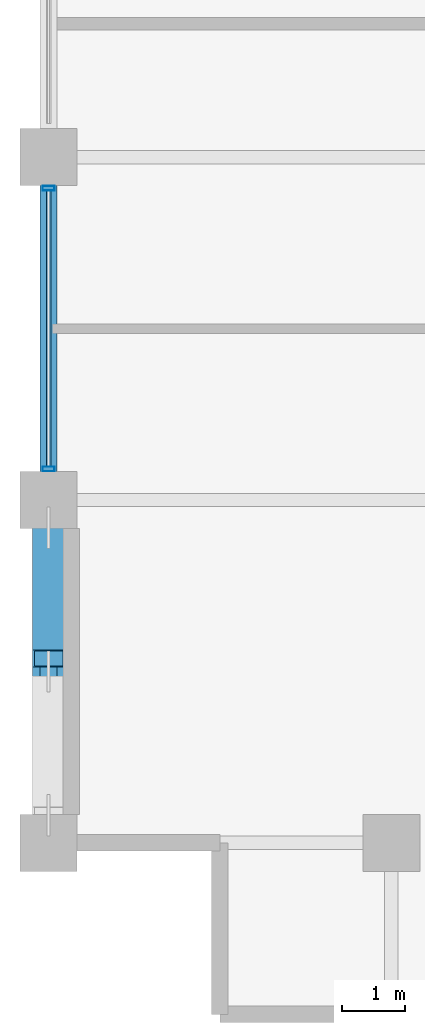
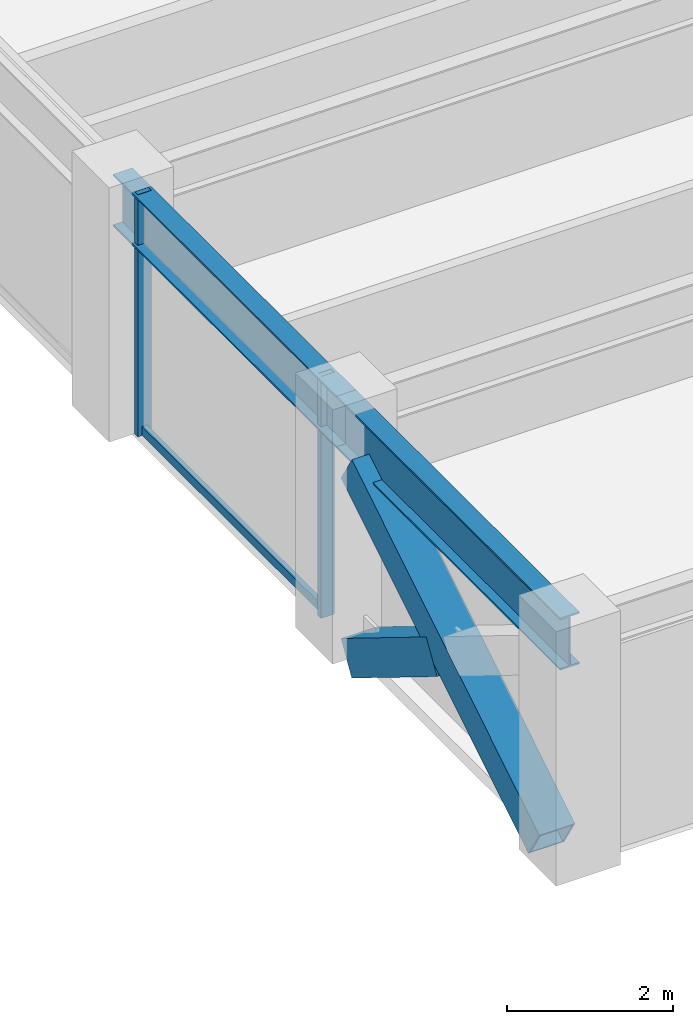
# One storey, part 4 of 32: 5 members, 2 beams, 1 element without a shape of its own.
"""IFC4 building model written with IfcOpenShell, lengths in metres."""

import ifcopenshell
import ifcopenshell.guid

model = None  # the IFC model being written
_history = None  # IfcOwnerHistory: only IFC2X3 demands one
_inside = {}  # id of a spatial element -> (the spatial element, [elements in it])
_under = {}  # id of a project, library or spatial element -> (it, [spatial elements below it])
_declared = {}  # id of a project -> (the project, [libraries it declares])
_typed = {}  # id of a type object -> (the type object, [elements of that type])
_made_of = {}  # id of a material, layer set ... -> (it, [elements and type objects made of it])


def new_model(schema):
    """Start an empty IFC model of exactly this schema.

    Asked for "IFC4X3", IfcOpenShell would pick the latest addendum, in which some entities
    have other attributes; the version numbers below select the first issue.
    IFC2X3 requires an IfcOwnerHistory on every rooted entity: one is made here for all.
    """
    global model, _history
    if schema == "IFC4X3":
        model = ifcopenshell.file(schema_version=(4, 3, 0, 0))
    else:
        model = ifcopenshell.file(schema=schema)
    _inside.clear()
    _under.clear()
    _declared.clear()
    _typed.clear()
    _made_of.clear()
    _history = None
    if model.schema == "IFC2X3":
        org = make("IfcOrganization", Name="unknown")
        user = make(
            "IfcPersonAndOrganization",
            ThePerson=make("IfcPerson", FamilyName="unknown"),
            TheOrganization=org,
        )
        app = make(
            "IfcApplication",
            ApplicationDeveloper=org,
            Version="unknown",
            ApplicationFullName="unknown",
            ApplicationIdentifier="unknown",
        )
        _history = make(
            "IfcOwnerHistory",
            OwningUser=user,
            OwningApplication=app,
            ChangeAction="ADDED",
            CreationDate=0,
        )
    return model


def make(cls, **values):
    """One entity of the class cls with the attributes given. An attribute that is None is left unset."""
    return model.create_entity(
        cls, **{name: value for name, value in values.items() if value is not None}
    )


def rooted(cls, **values):
    """An entity with a GlobalId (a new one), such as an element, a storey or a relation."""
    return make(cls, GlobalId=ifcopenshell.guid.new(), OwnerHistory=_history, **values)


def si_unit(unit_type, name, prefix=None):
    """IfcSIUnit, for example si_unit("LENGTHUNIT", "METRE", prefix="MILLI")."""
    return make("IfcSIUnit", UnitType=unit_type, Prefix=prefix, Name=name)


def assignment(units):
    """IfcUnitAssignment: the units of a project."""
    return None if units is None else make("IfcUnitAssignment", Units=units)


def point(xyz):
    """IfcCartesianPoint."""
    return None if xyz is None else make("IfcCartesianPoint", Coordinates=xyz)


def direction(xyz):
    """IfcDirection."""
    return None if xyz is None else make("IfcDirection", DirectionRatios=xyz)


def frame(location, z_axis=None, x_axis=None):
    """IfcAxis2Placement3D, a coordinate frame: its origin and axes. An axis left out is left unset."""
    return make(
        "IfcAxis2Placement3D",
        Location=point(location),
        Axis=direction(z_axis),
        RefDirection=direction(x_axis),
    )


def frame_2d(location, x_axis=None):
    """IfcAxis2Placement2D, a coordinate frame in the plane: its origin and x axis."""
    return make(
        "IfcAxis2Placement2D", Location=point(location), RefDirection=direction(x_axis)
    )


def origin():
    """The frame at (0, 0, 0) with its axes left unset."""
    return frame((0.0, 0.0, 0.0))


def origin_2d():
    """The frame at (0, 0) in the plane with its x axis left unset."""
    return frame_2d((0.0, 0.0))


def place(relative_to, where):
    """IfcLocalPlacement: puts the frame where relative to a parent placement (None: the world)."""
    return make(
        "IfcLocalPlacement", PlacementRelTo=relative_to, RelativePlacement=where
    )


def context(
    kind, dimensions, precision=None, world=None, true_north=None, identifier=None
):
    """IfcGeometricRepresentationContext, for example the 3D "Model" context."""
    return make(
        "IfcGeometricRepresentationContext",
        ContextIdentifier=identifier,
        ContextType=kind,
        CoordinateSpaceDimension=dimensions,
        Precision=precision,
        WorldCoordinateSystem=world,
        TrueNorth=true_north,
    )


def subcontext(parent, identifier, kind, view, scale=None):
    """IfcGeometricRepresentationSubContext, for example "Body" below "Model"."""
    return make(
        "IfcGeometricRepresentationSubContext",
        ContextIdentifier=identifier,
        ContextType=kind,
        ParentContext=parent,
        TargetScale=scale,
        TargetView=view,
    )


def project(units=None, contexts=None):
    """IfcProject with its units and contexts."""
    return rooted(
        "IfcProject",
        Name="project",
        RepresentationContexts=contexts,
        UnitsInContext=assignment(units),
    )


def spatial(cls, under=None, at=None, **own):
    """A site, building, storey or space (cls), placed at a placement, below another one or the project."""
    s = rooted(cls, ObjectPlacement=at, **own)
    if under is not None:
        _under.setdefault(under.id(), (under, []))[1].append(s)
    return s


def profile(cls, at=None, kind="AREA", **sizes):
    """A parametric profile (cls). Its sizes go by their IFC names, for example OverallWidth=200.0."""
    return make(cls, ProfileType=kind, Position=at, **sizes)


def hollow_rectangle(**sizes):
    """IfcRectangleHollowProfileDef."""
    return profile("IfcRectangleHollowProfileDef", **sizes)


def i_section(**sizes):
    """IfcIShapeProfileDef."""
    return profile("IfcIShapeProfileDef", **sizes)


def extrude(swept, where, along, depth):
    """IfcExtrudedAreaSolid: the profile swept, set in the frame where, extruded along a direction by depth."""
    return make(
        "IfcExtrudedAreaSolid",
        SweptArea=swept,
        Position=where,
        ExtrudedDirection=direction(along),
        Depth=depth,
    )


def shape(context_of_items, identifier, shape_type, items):
    """IfcShapeRepresentation: the items that make up one representation, for example the "Body"."""
    return make(
        "IfcShapeRepresentation",
        ContextOfItems=context_of_items,
        RepresentationIdentifier=identifier,
        RepresentationType=shape_type,
        Items=items,
    )


def material(Name=None, Category=None):
    """IfcMaterial."""
    return make("IfcMaterial", Name=Name, Category=Category)


def layer(
    of_material, thickness, ventilated=None, Name=None, Category=None, Priority=None
):
    """IfcMaterialLayer: one layer of a wall or slab, of a material (None: an air gap)."""
    return make(
        "IfcMaterialLayer",
        Material=of_material,
        LayerThickness=thickness,
        IsVentilated=ventilated,
        Name=Name,
        Category=Category,
        Priority=Priority,
    )


def layer_set(layers, Name=None):
    """IfcMaterialLayerSet."""
    return make("IfcMaterialLayerSet", MaterialLayers=layers, LayerSetName=Name)


def material_profile(
    of_material, cross_section, Name=None, Category=None, Priority=None
):
    """IfcMaterialProfile: a cross section and its material."""
    return make(
        "IfcMaterialProfile",
        Name=Name,
        Material=of_material,
        Profile=cross_section,
        Priority=Priority,
        Category=Category,
    )


def profile_set(profiles, Name=None, composite=None):
    """IfcMaterialProfileSet."""
    return make(
        "IfcMaterialProfileSet",
        Name=Name,
        MaterialProfiles=profiles,
        CompositeProfile=composite,
    )


def made_of(thing, what):
    """Note that an element or type object is made of a material, layer set ...; save() writes the relation."""
    if what is not None:
        _made_of.setdefault(what.id(), (what, []))[1].append(thing)
    return thing


def type_object(cls, material=None, **own):
    """A type object (cls), such as IfcWallType, which elements share."""
    return made_of(rooted(cls, **own), material)


def element(
    cls,
    number,
    at=None,
    inside=None,
    cuts=None,
    type_object=None,
    material=None,
    context=None,
    identifier="Body",
    shape_type=None,
    held_by="IfcProductDefinitionShape",
    body=None,
    shapes=None,
    **own,
):
    """One element of the class cls, such as IfcWall. Its Tag is "e" and its number.

    at: its placement. inside: the storey or other place that contains it. cuts: it is an
    opening in that element (IfcRelVoidsElement). A single representation is given by context,
    identifier, shape_type and body (its items); several are given by shapes. held_by: the class
    of the entity that holds the representations. save() writes the other relations.
    """
    e = rooted(cls, Tag="e%d" % number, ObjectPlacement=at, **own)
    if body is not None:
        shapes = [shape(context, identifier, shape_type, body)]
    if shapes is not None:
        e.Representation = make(held_by, Representations=shapes)
    if inside is not None:
        _inside.setdefault(inside.id(), (inside, []))[1].append(e)
    if cuts is not None:
        rooted(
            "IfcRelVoidsElement", RelatingBuildingElement=cuts, RelatedOpeningElement=e
        )
    if type_object is not None:
        _typed.setdefault(type_object.id(), (type_object, []))[1].append(e)
    return made_of(e, material)


def aggregate(whole, parts):
    """IfcRelAggregates: a whole, such as a stair, and the parts it consists of."""
    return rooted("IfcRelAggregates", RelatingObject=whole, RelatedObjects=parts)


def save(model, path):
    """Write the relations noted so far, then the file.

    IfcRelAggregates (storeys below a building ...), IfcRelContainedInSpatialStructure (elements
    in a storey), IfcRelDefinesByType, IfcRelAssociatesMaterial and IfcRelDeclares: one each for
    every whole, place, type object, material and project.
    """
    for whole, parts in _under.values():
        aggregate(whole, parts)
    for where, things in _inside.values():
        rooted(
            "IfcRelContainedInSpatialStructure",
            RelatedElements=things,
            RelatingStructure=where,
        )
    for kind, things in _typed.values():
        rooted("IfcRelDefinesByType", RelatedObjects=things, RelatingType=kind)
    for what, things in _made_of.values():
        rooted("IfcRelAssociatesMaterial", RelatedObjects=things, RelatingMaterial=what)
    for by, libraries in _declared.values():
        rooted("IfcRelDeclares", RelatingContext=by, RelatedDefinitions=libraries)
    model.write(path)


model = new_model("IFC4")

# Units and contexts
model_context = context("Model", 3, precision=1e-05, world=origin(), true_north=direction((0.0, 1.0)))
body_context = subcontext(model_context, "Body", "Model", "MODEL_VIEW")
ifc_project = project(units=[si_unit("LENGTHUNIT", "METRE"), si_unit("AREAUNIT", "SQUARE_METRE"), si_unit("VOLUMEUNIT", "CUBIC_METRE"), si_unit("PLANEANGLEUNIT", "RADIAN"), si_unit("MASSUNIT", "GRAM", prefix="KILO")], contexts=[model_context])

# Site, building, storey
site_placement = place(None, origin())
site = spatial("IfcSite", under=ifc_project, at=site_placement, CompositionType="ELEMENT")
building_placement = place(site_placement, origin())
building = spatial("IfcBuilding", under=site, at=building_placement, Name="Surkhivell Harbour Commons", CompositionType="ELEMENT")
storey_placement = place(building_placement, frame((0.0, 0.0, 212.25)))
storey = spatial("IfcBuildingStorey", under=building, at=storey_placement, Name="L55", CompositionType="ELEMENT", Elevation=212.25)

# Beams
ifc_material_1 = material(Name="Steel S355", Category="steel")
ifc_material_profile_1 = material_profile(ifc_material_1, i_section(OverallWidth=0.26806640625, OverallDepth=0.77001953125, WebThickness=0.015625, FlangeThickness=0.025390625, at=origin_2d()), Name="UB762x267x197")
ifc_profile_set_1 = profile_set([ifc_material_profile_1], Name="Steel S355")
beam_type = type_object("IfcBeamType", Name="BM-SPN-762", PredefinedType="SPANDREL", material=ifc_profile_set_1)
beam_1_placement = place(storey_placement, frame((-27.0, -16.199951171875, 3.18505859375), z_axis=(0.0, 1.0, 0.0), x_axis=(-1.0, 0.0, 0.0)))
element("IfcBeam", 1, at=beam_1_placement, inside=storey, type_object=beam_type, Name="L55 Tube Spandrel (-27.0,-16.2)", PredefinedType="SPANDREL", context=body_context, shape_type="SweptSolid", body=[
    extrude(i_section(OverallWidth=0.26806640625, OverallDepth=0.77001953125, WebThickness=0.015625, FlangeThickness=0.025390625, at=origin_2d()), origin(), (0.0, 0.0, 1.0), 5.39990234375),
])
beam_2_placement = place(storey_placement, frame((-27.0, -10.800048828125, 3.18505859375), z_axis=(0.0, 1.0, 0.0), x_axis=(-1.0, 0.0, 0.0)))
element("IfcBeam", 2, at=beam_2_placement, inside=storey, type_object=beam_type, Name="L55 Tube Spandrel (-27.0,-10.8)", PredefinedType="SPANDREL", context=body_context, shape_type="SweptSolid", body=[
    extrude(i_section(OverallWidth=0.26806640625, OverallDepth=0.77001953125, WebThickness=0.015625, FlangeThickness=0.025390625, at=origin_2d()), origin(), (0.0, 0.0, 1.0), 5.400146484375),
])

# Curtain wall, members
ifc_material_2 = material(Name="Anodised pale-metal aluminium and insulated glazing", Category="aluminium")
ifc_layer = layer(ifc_material_2, 0.18994140625)
ifc_layer_set = layer_set([ifc_layer], Name="Anodised pale-metal aluminium and insulated glazing")
curtain_wall_type = type_object("IfcCurtainWallType", Name="CW-SYS-Z3", PredefinedType="NOTDEFINED", material=ifc_layer_set)
curtain_wall_placement = place(storey_placement, origin())
curtain_wall = element("IfcCurtainWall", 3, at=curtain_wall_placement, inside=storey, type_object=curtain_wall_type, Name="L55 Curtain Wall CW-L55-E12S1", PredefinedType="NOTDEFINED")
ifc_material_3 = material(Name="Anodised pale-metal aluminium alloy 6063-T6", Category="aluminium")
ifc_material_profile_2 = material_profile(ifc_material_3, hollow_rectangle(XDim=0.074951171875, YDim=0.18994140625, WallThickness=0.00390625, at=origin_2d()), Name="ALU-MULL-75x190")
ifc_profile_set_2 = profile_set([ifc_material_profile_2], Name="Anodised pale-metal aluminium alloy 6063-T6")
member_type_1 = type_object("IfcMemberType", Name="CWM-190", PredefinedType="MULLION", material=ifc_profile_set_2)
member_1_placement = place(storey_placement, frame((-27.0, -5.889404296875, 0.0), z_axis=(0.0, 0.0, 1.0), x_axis=(0.0, -1.0, 0.0)))
member_1 = element("IfcMember", 4, at=member_1_placement, type_object=member_type_1, Name="CW-Z3 mullion 6", PredefinedType="MULLION", context=body_context, shape_type="SweptSolid", body=[
    extrude(hollow_rectangle(XDim=0.074951171875, YDim=0.18994140625, WallThickness=0.00390625, at=origin_2d()), origin(), (0.0, 0.0, 1.0), 3.570068359375),
])
member_2_placement = place(storey_placement, frame((-27.0, -10.310546875, 0.0), z_axis=(0.0, 0.0, 1.0), x_axis=(0.0, -1.0, 0.0)))
member_2 = element("IfcMember", 5, at=member_2_placement, type_object=member_type_1, Name="CW-Z3 mullion 7", PredefinedType="MULLION", context=body_context, shape_type="SweptSolid", body=[
    extrude(hollow_rectangle(XDim=0.074951171875, YDim=0.18994140625, WallThickness=0.00390625, at=origin_2d()), origin(), (0.0, 0.0, 1.0), 3.570068359375),
])
ifc_material_4 = material(Name="Champagne anodised aluminium alloy 6063-T6", Category="aluminium")
ifc_material_profile_3 = material_profile(ifc_material_4, hollow_rectangle(XDim=0.070068359375, YDim=0.1298828125, WallThickness=0.00341796875, at=origin_2d()), Name="ALU-TRAN-70x130")
ifc_profile_set_3 = profile_set([ifc_material_profile_3], Name="Champagne anodised aluminium alloy 6063-T6")
member_type_2 = type_object("IfcMemberType", Name="CWT-130", PredefinedType="USERDEFINED", material=ifc_profile_set_3)
member_3_placement = place(storey_placement, frame((-27.0, -5.927001953125, 0.06494140625), z_axis=(0.0, -1.0, 0.0), x_axis=(1.0, 0.0, 0.0)))
member_3 = element("IfcMember", 6, at=member_3_placement, type_object=member_type_2, Name="CW-Z3 transom 6.1", ObjectType="TRANSOM", PredefinedType="USERDEFINED", context=body_context, shape_type="SweptSolid", body=[
    extrude(hollow_rectangle(XDim=0.070068359375, YDim=0.1298828125, WallThickness=0.00341796875, at=origin_2d()), origin(), (0.0, 0.0, 1.0), 4.345947265625),
])
aggregate(curtain_wall, [member_1, member_2, member_3])

# Members
ifc_material_5 = material(Name="Steel S460", Category="steel")
ifc_material_profile_4 = material_profile(ifc_material_5, hollow_rectangle(XDim=0.5, YDim=0.5, WallThickness=0.02490234375, at=origin_2d()), Name="SHS500x500x25")
ifc_profile_set_4 = profile_set([ifc_material_profile_4], Name="Steel S460")
member_type_3 = type_object("IfcMemberType", Name="MEM-BRC-SHS500", PredefinedType="BRACE", material=ifc_profile_set_4)
member_4_placement = place(storey_placement, frame((-27.0, -15.764892578125, 0.008056640625), z_axis=(0.0, 0.850958380769, 0.525233123669), x_axis=(-1.0, 0.0, 0.0)))
element("IfcMember", 7, at=member_4_placement, inside=storey, type_object=member_type_3, Name="L55 Perimeter Mega-Brace MB- 10", PredefinedType="BRACE", context=body_context, shape_type="SweptSolid", body=[
    extrude(hollow_rectangle(XDim=0.5, YDim=0.5, WallThickness=0.02490234375, at=origin_2d()), origin(), (0.0, 0.0, 1.0), 5.3232421875),
])
member_5_placement = place(storey_placement, frame((-27.0, -11.235107421875, 0.008056640625), z_axis=(0.0, -0.8510034189, 0.525160147974), x_axis=(1.0, 0.0, 0.0)))
element("IfcMember", 8, at=member_5_placement, inside=storey, type_object=member_type_3, Name="L55 Perimeter Mega-Brace MB- 11", PredefinedType="BRACE", context=body_context, shape_type="SweptSolid", body=[
    extrude(hollow_rectangle(XDim=0.5, YDim=0.5, WallThickness=0.02490234375, at=origin_2d()), origin(), (0.0, 0.0, 1.0), 2.421630859375),
])

save(model, "model.ifc")
